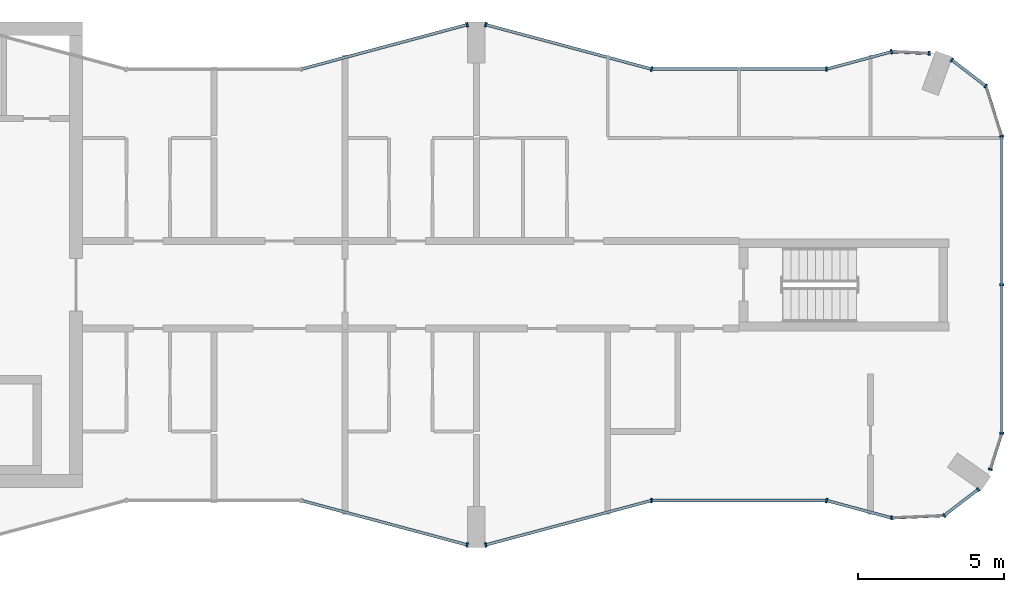
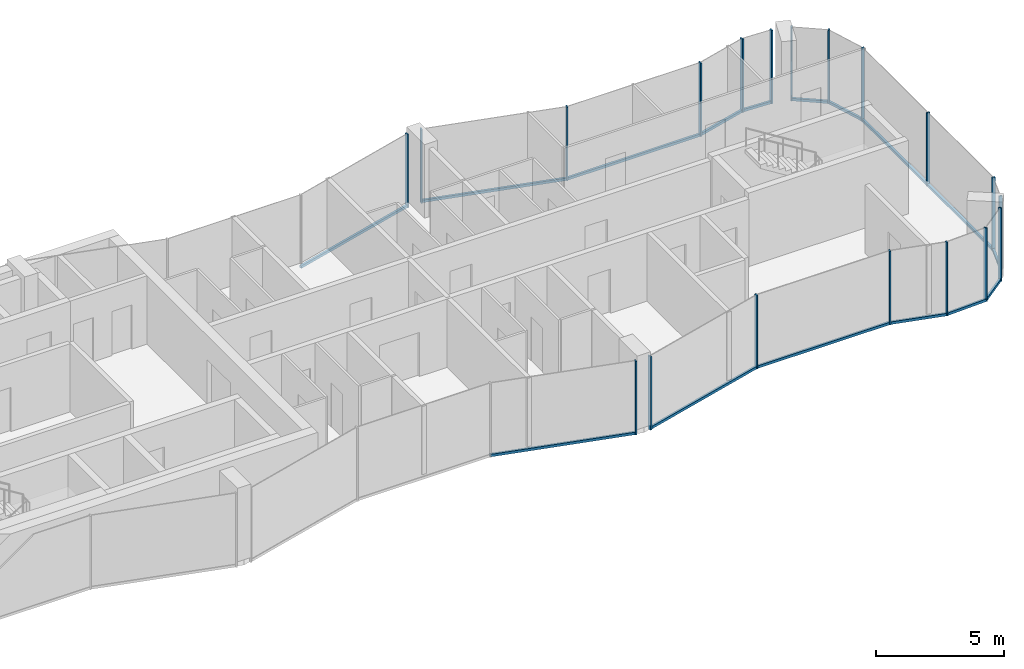
# One storey, part 5 of 10: 34 members, 15 elements without a shape of their own.
"""IFC4 building model written with IfcOpenShell, lengths in metres."""

from ifc_helpers import new_model, si_unit, direction, frame, origin, origin_2d, place, context, subcontext, project, spatial, rectangle, extrude, material, layer, layer_set, material_profile, profile_set, type_object, element, aggregate, save


model = new_model("IFC4")

# Units and contexts
model_context = context("Model", 3, precision=1e-05, world=origin(), true_north=direction((0.0, 1.0)))
body_context = subcontext(model_context, "Body", "Model", "MODEL_VIEW")
ifc_project = project(units=[si_unit("LENGTHUNIT", "METRE"), si_unit("AREAUNIT", "SQUARE_METRE"), si_unit("VOLUMEUNIT", "CUBIC_METRE"), si_unit("PLANEANGLEUNIT", "RADIAN"), si_unit("MASSUNIT", "GRAM", prefix="KILO")], contexts=[model_context])

# Site, building, storey
site_placement = place(None, origin())
site = spatial("IfcSite", under=ifc_project, at=site_placement, CompositionType="ELEMENT")
building_placement = place(site_placement, origin())
building = spatial("IfcBuilding", under=site, at=building_placement, Name="Plateau Cross Towers", CompositionType="ELEMENT")
storey_placement = place(building_placement, frame((0.0, 0.0, 256.39990234375)))
storey = spatial("IfcBuildingStorey", under=building, at=storey_placement, Name="L67", CompositionType="ELEMENT", Elevation=256.39990234375)

# Curtain wall, member
ifc_material_1 = material(Name="Dark low-iron glass", Category="glass")
ifc_layer_1 = layer(ifc_material_1, 0.239990234375)
ifc_layer_set_1 = layer_set([ifc_layer_1], Name="Dark low-iron glass")
curtain_wall_type_1 = type_object("IfcCurtainWallType", Name="Curtain wall flush unitised CW-B", PredefinedType="NOTDEFINED", material=ifc_layer_set_1)
curtain_wall_1_placement = place(storey_placement, origin())
curtain_wall_1 = element("IfcCurtainWall", 1, at=curtain_wall_1_placement, inside=storey, type_object=curtain_wall_type_1, Name="ENV/A/L67/A502_10", PredefinedType="NOTDEFINED")
ifc_material_2 = material(Name="Black anodised aluminium", Category="aluminium")
ifc_material_profile_1 = material_profile(ifc_material_2, rectangle(XDim=0.06005859375, YDim=0.139892578125, at=origin_2d()), Name="MULLION 60x140")
ifc_profile_set_1 = profile_set([ifc_material_profile_1], Name="Black anodised aluminium")
member_type_1 = type_object("IfcMemberType", Name="Mullion 60x140 flush unitised", PredefinedType="MULLION", material=ifc_profile_set_1)
member_1_placement = place(storey_placement, frame((50.223876953125, 1.01123046875, -0.25), z_axis=(0.0, 0.0, 1.0), x_axis=(0.999043701491, 0.043722791671, 0.0)))
member_1 = element("IfcMember", 2, at=member_1_placement, type_object=member_type_1, Name="CW-B mullion 1", PredefinedType="MULLION", context=body_context, shape_type="SweptSolid", body=[
    extrude(rectangle(XDim=0.06005859375, YDim=0.139892578125, at=origin_2d()), origin(), (0.0, 0.0, 1.0), 3.5),
])

# Curtain wall, members
curtain_wall_2_placement = place(storey_placement, origin())
curtain_wall_2 = element("IfcCurtainWall", 3, at=curtain_wall_2_placement, inside=storey, type_object=curtain_wall_type_1, Name="ENV/A/L67/A520_11", PredefinedType="NOTDEFINED")
member_2_placement = place(storey_placement, frame((52.0263671875, 1.090087890625, -0.25), z_axis=(0.0, 0.0, 1.0), x_axis=(0.793315514529, 0.608810721331, 0.0)))
member_2 = element("IfcMember", 4, at=member_2_placement, type_object=member_type_1, Name="CW-B mullion 1", PredefinedType="MULLION", context=body_context, shape_type="SweptSolid", body=[
    extrude(rectangle(XDim=0.06005859375, YDim=0.139892578125, at=origin_2d()), origin(), (0.0, 0.0, 1.0), 3.5),
])
member_3_placement = place(storey_placement, frame((53.193603515625, 1.986083984375, -0.25), z_axis=(0.0, 0.0, 1.0), x_axis=(0.793315514529, 0.608810721331, 0.0)))
member_3 = element("IfcMember", 5, at=member_3_placement, type_object=member_type_1, Name="CW-B mullion 2", PredefinedType="MULLION", context=body_context, shape_type="SweptSolid", body=[
    extrude(rectangle(XDim=0.06005859375, YDim=0.139892578125, at=origin_2d()), origin(), (0.0, 0.0, 1.0), 3.5),
])

# Curtain wall, member
curtain_wall_3_placement = place(storey_placement, origin())
curtain_wall_3 = element("IfcCurtainWall", 6, at=curtain_wall_3_placement, inside=storey, type_object=curtain_wall_type_1, Name="ENV/A/L67/A536_27", PredefinedType="NOTDEFINED")
member_4_placement = place(storey_placement, frame((53.611083984375, 2.67529296875, -0.25), z_axis=(0.0, 0.0, 1.0), x_axis=(0.300686174994, 0.95372313811, 0.0)))
member_4 = element("IfcMember", 7, at=member_4_placement, type_object=member_type_1, Name="CW-B mullion 1", PredefinedType="MULLION", context=body_context, shape_type="SweptSolid", body=[
    extrude(rectangle(XDim=0.06005859375, YDim=0.139892578125, at=origin_2d()), origin(), (0.0, 0.0, 1.0), 3.5),
])

# Curtain wall, members
curtain_wall_4_placement = place(storey_placement, origin())
curtain_wall_4 = element("IfcCurtainWall", 8, at=curtain_wall_4_placement, inside=storey, type_object=curtain_wall_type_1, Name="ENV/A/L67/A540_39", PredefinedType="NOTDEFINED")
member_5_placement = place(storey_placement, frame((54.0, 3.9091796875, -0.25), z_axis=(0.0, 0.0, 1.0), x_axis=(0.0, 1.0, 0.0)))
member_5 = element("IfcMember", 9, at=member_5_placement, type_object=member_type_1, Name="CW-B mullion 1", PredefinedType="MULLION", context=body_context, shape_type="SweptSolid", body=[
    extrude(rectangle(XDim=0.06005859375, YDim=0.139892578125, at=origin_2d()), origin(), (0.0, 0.0, 1.0), 3.5),
])
member_6_placement = place(storey_placement, frame((54.0, 9.0, -0.25), z_axis=(0.0, 0.0, 1.0), x_axis=(0.0, 1.0, 0.0)))
member_6 = element("IfcMember", 10, at=member_6_placement, type_object=member_type_1, Name="CW-B mullion 2", PredefinedType="MULLION", context=body_context, shape_type="SweptSolid", body=[
    extrude(rectangle(XDim=0.06005859375, YDim=0.139892578125, at=origin_2d()), origin(), (0.0, 0.0, 1.0), 3.5),
])

# Curtain wall, member
curtain_wall_5_placement = place(storey_placement, origin())
curtain_wall_5 = element("IfcCurtainWall", 11, at=curtain_wall_5_placement, inside=storey, type_object=curtain_wall_type_1, Name="ENV/A/L67/A540_141", PredefinedType="NOTDEFINED")
member_7_placement = place(storey_placement, frame((54.0, 14.0908203125, -0.25), z_axis=(0.0, 0.0, 1.0), x_axis=(-0.300686174994, 0.95372313811, 0.0)))
member_7 = element("IfcMember", 12, at=member_7_placement, type_object=member_type_1, Name="CW-B mullion 1", PredefinedType="MULLION", context=body_context, shape_type="SweptSolid", body=[
    extrude(rectangle(XDim=0.06005859375, YDim=0.139892578125, at=origin_2d()), origin(), (0.0, 0.0, 1.0), 3.5),
])

# Curtain wall, members
curtain_wall_6_placement = place(storey_placement, origin())
curtain_wall_6 = element("IfcCurtainWall", 13, at=curtain_wall_6_placement, inside=storey, type_object=curtain_wall_type_1, Name="ENV/A/L67/A535_158", PredefinedType="NOTDEFINED")
member_8_placement = place(storey_placement, frame((53.45751953125, 15.8115234375, -0.25), z_axis=(0.0, 0.0, 1.0), x_axis=(-0.793315514529, 0.608810721331, 0.0)))
member_8 = element("IfcMember", 14, at=member_8_placement, type_object=member_type_1, Name="CW-B mullion 1", PredefinedType="MULLION", context=body_context, shape_type="SweptSolid", body=[
    extrude(rectangle(XDim=0.06005859375, YDim=0.139892578125, at=origin_2d()), origin(), (0.0, 0.0, 1.0), 3.5),
])
member_9_placement = place(storey_placement, frame((52.290283203125, 16.707275390625, -0.25), z_axis=(0.0, 0.0, 1.0), x_axis=(-0.793315514529, 0.608810721331, 0.0)))
member_9 = element("IfcMember", 15, at=member_9_placement, type_object=member_type_1, Name="CW-B mullion 2", PredefinedType="MULLION", context=body_context, shape_type="SweptSolid", body=[
    extrude(rectangle(XDim=0.06005859375, YDim=0.139892578125, at=origin_2d()), origin(), (0.0, 0.0, 1.0), 3.5),
])

# Curtain wall, member
curtain_wall_7_placement = place(storey_placement, origin())
curtain_wall_7 = element("IfcCurtainWall", 16, at=curtain_wall_7_placement, inside=storey, type_object=curtain_wall_type_1, Name="ENV/A/L67/A515_169", PredefinedType="NOTDEFINED")
member_10_placement = place(storey_placement, frame((51.516357421875, 16.93212890625, -0.25), z_axis=(0.0, 0.0, 1.0), x_axis=(-0.999043701491, 0.043722791671, 0.0)))
member_10 = element("IfcMember", 17, at=member_10_placement, type_object=member_type_1, Name="CW-B mullion 1", PredefinedType="MULLION", context=body_context, shape_type="SweptSolid", body=[
    extrude(rectangle(XDim=0.06005859375, YDim=0.139892578125, at=origin_2d()), origin(), (0.0, 0.0, 1.0), 3.5),
])

ifc_layer_2 = layer(ifc_material_1, 0.260009765625)
ifc_layer_set_2 = layer_set([ifc_layer_2], Name="Dark low-iron glass")
curtain_wall_type_2 = type_object("IfcCurtainWallType", Name="Curtain wall fluted unitised CW-A", PredefinedType="NOTDEFINED", material=ifc_layer_set_2)
curtain_wall_8_placement = place(storey_placement, origin())
curtain_wall_8 = element("IfcCurtainWall", 18, at=curtain_wall_8_placement, inside=storey, type_object=curtain_wall_type_2, Name="ENV/A/L67/A300_16", PredefinedType="NOTDEFINED")
ifc_material_profile_2 = material_profile(ifc_material_2, rectangle(XDim=0.06005859375, YDim=0.159912109375, at=origin_2d()), Name="MULLION 60x160")
ifc_profile_set_2 = profile_set([ifc_material_profile_2], Name="Black anodised aluminium")
member_type_2 = type_object("IfcMemberType", Name="Mullion 60x160 fluted unitised", PredefinedType="MULLION", material=ifc_profile_set_2)
member_11_placement = place(storey_placement, frame((35.68212890625, 0.085205078125, -0.25), z_axis=(0.0, 0.0, 1.0), x_axis=(0.965957983404, -0.258699003279, 0.0)))
member_11 = element("IfcMember", 19, at=member_11_placement, type_object=member_type_2, Name="CW-A mullion 2", PredefinedType="MULLION", context=body_context, shape_type="SweptSolid", body=[
    extrude(rectangle(XDim=0.06005859375, YDim=0.159912109375, at=origin_2d()), origin(), (0.0, 0.0, 1.0), 3.5),
])

curtain_wall_9_placement = place(storey_placement, origin())
curtain_wall_9 = element("IfcCurtainWall", 20, at=curtain_wall_9_placement, inside=storey, type_object=curtain_wall_type_2, Name="ENV/A/L67/A363_1", PredefinedType="NOTDEFINED")
member_12_placement = place(storey_placement, frame((36.31787109375, 0.085205078125, -0.25), z_axis=(0.0, 0.0, 1.0), x_axis=(0.965957983404, 0.258699003279, 0.0)))
member_12 = element("IfcMember", 21, at=member_12_placement, type_object=member_type_2, Name="CW-A mullion 1", PredefinedType="MULLION", context=body_context, shape_type="SweptSolid", body=[
    extrude(rectangle(XDim=0.06005859375, YDim=0.159912109375, at=origin_2d()), origin(), (0.0, 0.0, 1.0), 3.5),
])

curtain_wall_10_placement = place(storey_placement, origin())
curtain_wall_10 = element("IfcCurtainWall", 22, at=curtain_wall_10_placement, inside=storey, type_object=curtain_wall_type_2, Name="ENV/A/L67/A420_16", PredefinedType="NOTDEFINED")
member_13_placement = place(storey_placement, frame((42.0, 1.60693359375, -0.25), z_axis=(0.0, 0.0, 1.0), x_axis=(1.0, 0.0, 0.0)))
member_13 = element("IfcMember", 23, at=member_13_placement, type_object=member_type_2, Name="CW-A mullion 1", PredefinedType="MULLION", context=body_context, shape_type="SweptSolid", body=[
    extrude(rectangle(XDim=0.06005859375, YDim=0.159912109375, at=origin_2d()), origin(), (0.0, 0.0, 1.0), 3.5),
])

curtain_wall_11_placement = place(storey_placement, origin())
curtain_wall_11 = element("IfcCurtainWall", 24, at=curtain_wall_11_placement, inside=storey, type_object=curtain_wall_type_2, Name="ENV/A/L67/A480_16", PredefinedType="NOTDEFINED")
member_14_placement = place(storey_placement, frame((48.0, 1.60693359375, -0.25), z_axis=(0.0, 0.0, 1.0), x_axis=(0.965957962328, -0.258699081978, 0.0)))
member_14 = element("IfcMember", 25, at=member_14_placement, type_object=member_type_2, Name="CW-A mullion 1", PredefinedType="MULLION", context=body_context, shape_type="SweptSolid", body=[
    extrude(rectangle(XDim=0.06005859375, YDim=0.159912109375, at=origin_2d()), origin(), (0.0, 0.0, 1.0), 3.5),
])

curtain_wall_12_placement = place(storey_placement, origin())
curtain_wall_12 = element("IfcCurtainWall", 26, at=curtain_wall_12_placement, inside=storey, type_object=curtain_wall_type_2, Name="ENV/A/L67/A502_170", PredefinedType="NOTDEFINED")
member_15_placement = place(storey_placement, frame((50.223876953125, 16.98876953125, -0.25), z_axis=(0.0, 0.0, 1.0), x_axis=(-0.965957962328, -0.258699081978, 0.0)))
member_15 = element("IfcMember", 27, at=member_15_placement, type_object=member_type_2, Name="CW-A mullion 1", PredefinedType="MULLION", context=body_context, shape_type="SweptSolid", body=[
    extrude(rectangle(XDim=0.06005859375, YDim=0.159912109375, at=origin_2d()), origin(), (0.0, 0.0, 1.0), 3.5),
])

curtain_wall_13_placement = place(storey_placement, origin())
curtain_wall_13 = element("IfcCurtainWall", 28, at=curtain_wall_13_placement, inside=storey, type_object=curtain_wall_type_2, Name="ENV/A/L67/A480_164", PredefinedType="NOTDEFINED")
member_16_placement = place(storey_placement, frame((48.0, 16.39306640625, -0.25), z_axis=(0.0, 0.0, 1.0), x_axis=(-1.0, 0.0, 0.0)))
member_16 = element("IfcMember", 29, at=member_16_placement, type_object=member_type_2, Name="CW-A mullion 1", PredefinedType="MULLION", context=body_context, shape_type="SweptSolid", body=[
    extrude(rectangle(XDim=0.06005859375, YDim=0.159912109375, at=origin_2d()), origin(), (0.0, 0.0, 1.0), 3.5),
])

# Curtain wall, members
curtain_wall_14_placement = place(storey_placement, origin())
curtain_wall_14 = element("IfcCurtainWall", 30, at=curtain_wall_14_placement, inside=storey, type_object=curtain_wall_type_2, Name="ENV/A/L67/A420_164", PredefinedType="NOTDEFINED")
member_17_placement = place(storey_placement, frame((42.0, 16.39306640625, -0.25), z_axis=(0.0, 0.0, 1.0), x_axis=(-0.965957983404, 0.258699003279, 0.0)))
member_17 = element("IfcMember", 31, at=member_17_placement, type_object=member_type_2, Name="CW-A mullion 1", PredefinedType="MULLION", context=body_context, shape_type="SweptSolid", body=[
    extrude(rectangle(XDim=0.06005859375, YDim=0.159912109375, at=origin_2d()), origin(), (0.0, 0.0, 1.0), 3.5),
])
member_18_placement = place(storey_placement, frame((36.31787109375, 17.914794921875, -0.25), z_axis=(0.0, 0.0, 1.0), x_axis=(-0.965957983404, 0.258699003279, 0.0)))
member_18 = element("IfcMember", 32, at=member_18_placement, type_object=member_type_2, Name="CW-A mullion 2", PredefinedType="MULLION", context=body_context, shape_type="SweptSolid", body=[
    extrude(rectangle(XDim=0.06005859375, YDim=0.159912109375, at=origin_2d()), origin(), (0.0, 0.0, 1.0), 3.5),
])

# Curtain wall, member
curtain_wall_15_placement = place(storey_placement, origin())
curtain_wall_15 = element("IfcCurtainWall", 33, at=curtain_wall_15_placement, inside=storey, type_object=curtain_wall_type_2, Name="ENV/A/L67/A357_179", PredefinedType="NOTDEFINED")
member_19_placement = place(storey_placement, frame((35.68212890625, 17.914794921875, -0.25), z_axis=(0.0, 0.0, 1.0), x_axis=(-0.965957983404, -0.258699003279, 0.0)))
member_19 = element("IfcMember", 34, at=member_19_placement, type_object=member_type_2, Name="CW-A mullion 1", PredefinedType="MULLION", context=body_context, shape_type="SweptSolid", body=[
    extrude(rectangle(XDim=0.06005859375, YDim=0.159912109375, at=origin_2d()), origin(), (0.0, 0.0, 1.0), 3.5),
])

# Member
ifc_material_profile_3 = material_profile(ifc_material_2, rectangle(XDim=0.10009765625, YDim=0.1201171875, at=origin_2d()), Name="TRANSOM 100x120")
ifc_profile_set_3 = profile_set([ifc_material_profile_3], Name="Black anodised aluminium")
member_type_3 = type_object("IfcMemberType", Name="Transom 100x120 flush unitised", PredefinedType="USERDEFINED", material=ifc_profile_set_3)
member_20_placement = place(storey_placement, frame((50.223876953125, 1.01123046875, -0.18994140625), z_axis=(0.999044377355, 0.043707345779, 0.0), x_axis=(-0.043707345779, 0.999044377355, 0.0)))
member_20 = element("IfcMember", 35, at=member_20_placement, type_object=member_type_3, Name="CW-B transom", ObjectType="TRANSOM", PredefinedType="USERDEFINED", context=body_context, shape_type="SweptSolid", body=[
    extrude(rectangle(XDim=0.10009765625, YDim=0.1201171875, at=origin_2d()), origin(), (0.0, 0.0, 1.0), 1.80419921875),
])

aggregate(curtain_wall_1, [member_1, member_20])

member_21_placement = place(storey_placement, frame((52.0263671875, 1.090087890625, -0.18994140625), z_axis=(0.793240368515, 0.608908628415, 0.0), x_axis=(-0.608908628415, 0.793240368515, 0.0)))
member_21 = element("IfcMember", 36, at=member_21_placement, type_object=member_type_3, Name="CW-B transom", ObjectType="TRANSOM", PredefinedType="USERDEFINED", context=body_context, shape_type="SweptSolid", body=[
    extrude(rectangle(XDim=0.10009765625, YDim=0.1201171875, at=origin_2d()), origin(), (0.0, 0.0, 1.0), 1.471435546875),
])

aggregate(curtain_wall_2, [member_2, member_3, member_21])

member_22_placement = place(storey_placement, frame((53.611083984375, 2.67529296875, -0.18994140625), z_axis=(0.300616528216, 0.953745093284, 0.0), x_axis=(-0.953745093284, 0.300616528216, 0.0)))
member_22 = element("IfcMember", 37, at=member_22_placement, type_object=member_type_3, Name="CW-B transom", ObjectType="TRANSOM", PredefinedType="USERDEFINED", context=body_context, shape_type="SweptSolid", body=[
    extrude(rectangle(XDim=0.10009765625, YDim=0.1201171875, at=origin_2d()), origin(), (0.0, 0.0, 1.0), 1.293701171875),
])

aggregate(curtain_wall_3, [member_4, member_22])

member_23_placement = place(storey_placement, frame((54.0, 3.9091796875, -0.18994140625), z_axis=(0.0, 1.0, 0.0), x_axis=(-1.0, 0.0, 0.0)))
member_23 = element("IfcMember", 38, at=member_23_placement, type_object=member_type_3, Name="CW-B transom", ObjectType="TRANSOM", PredefinedType="USERDEFINED", context=body_context, shape_type="SweptSolid", body=[
    extrude(rectangle(XDim=0.10009765625, YDim=0.1201171875, at=origin_2d()), origin(), (0.0, 0.0, 1.0), 10.181640625),
])

aggregate(curtain_wall_4, [member_5, member_6, member_23])

member_24_placement = place(storey_placement, frame((54.0, 14.0908203125, -0.18994140625), z_axis=(-0.30067799945, 0.953725715626, 0.0), x_axis=(-0.953725715626, -0.30067799945, 0.0)))
member_24 = element("IfcMember", 39, at=member_24_placement, type_object=member_type_3, Name="CW-B transom", ObjectType="TRANSOM", PredefinedType="USERDEFINED", context=body_context, shape_type="SweptSolid", body=[
    extrude(rectangle(XDim=0.10009765625, YDim=0.1201171875, at=origin_2d()), origin(), (0.0, 0.0, 1.0), 1.80419921875),
])

aggregate(curtain_wall_5, [member_7, member_24])

member_25_placement = place(storey_placement, frame((53.45751953125, 15.8115234375, -0.18994140625), z_axis=(-0.793320508571, 0.608804213751, 0.0), x_axis=(-0.608804213751, -0.793320508571, 0.0)))
member_25 = element("IfcMember", 40, at=member_25_placement, type_object=member_type_3, Name="CW-B transom", ObjectType="TRANSOM", PredefinedType="USERDEFINED", context=body_context, shape_type="SweptSolid", body=[
    extrude(rectangle(XDim=0.10009765625, YDim=0.1201171875, at=origin_2d()), origin(), (0.0, 0.0, 1.0), 1.471435546875),
])

aggregate(curtain_wall_6, [member_8, member_9, member_25])

member_26_placement = place(storey_placement, frame((51.516357421875, 16.93212890625, -0.18994140625), z_axis=(-0.999041144614, 0.043781175963, 0.0), x_axis=(-0.043781175963, -0.999041144614, 0.0)))
member_26 = element("IfcMember", 41, at=member_26_placement, type_object=member_type_3, Name="CW-B transom", ObjectType="TRANSOM", PredefinedType="USERDEFINED", context=body_context, shape_type="SweptSolid", body=[
    extrude(rectangle(XDim=0.10009765625, YDim=0.1201171875, at=origin_2d()), origin(), (0.0, 0.0, 1.0), 1.293701171875),
])

aggregate(curtain_wall_7, [member_10, member_26])

ifc_material_profile_4 = material_profile(ifc_material_2, rectangle(XDim=0.10009765625, YDim=0.1201171875, at=origin_2d()), Name="TRANSOM 100x120")
ifc_profile_set_4 = profile_set([ifc_material_profile_4], Name="Black anodised aluminium")
member_type_4 = type_object("IfcMemberType", Name="Transom 100x120 fluted unitised", PredefinedType="USERDEFINED", material=ifc_profile_set_4)
member_27_placement = place(storey_placement, frame((30.0, 1.60693359375, -0.18994140625), z_axis=(0.965959534794, -0.258693210465, 0.0), x_axis=(0.258693210465, 0.965959534794, 0.0)))
member_27 = element("IfcMember", 42, at=member_27_placement, type_object=member_type_4, Name="CW-A transom", ObjectType="TRANSOM", PredefinedType="USERDEFINED", context=body_context, shape_type="SweptSolid", body=[
    extrude(rectangle(XDim=0.10009765625, YDim=0.1201171875, at=origin_2d()), origin(), (0.0, 0.0, 1.0), 5.88232421875),
])

aggregate(curtain_wall_8, [member_11, member_27])

member_28_placement = place(storey_placement, frame((36.31787109375, 0.085205078125, -0.18994140625), z_axis=(0.965959534794, 0.258693210465, 0.0), x_axis=(-0.258693210465, 0.965959534794, 0.0)))
member_28 = element("IfcMember", 43, at=member_28_placement, type_object=member_type_4, Name="CW-A transom", ObjectType="TRANSOM", PredefinedType="USERDEFINED", context=body_context, shape_type="SweptSolid", body=[
    extrude(rectangle(XDim=0.10009765625, YDim=0.1201171875, at=origin_2d()), origin(), (0.0, 0.0, 1.0), 5.88232421875),
])

aggregate(curtain_wall_9, [member_12, member_28])

member_29_placement = place(storey_placement, frame((42.0, 1.60693359375, -0.18994140625), z_axis=(1.0, 0.0, 0.0), x_axis=(0.0, 1.0, 0.0)))
member_29 = element("IfcMember", 44, at=member_29_placement, type_object=member_type_4, Name="CW-A transom", ObjectType="TRANSOM", PredefinedType="USERDEFINED", context=body_context, shape_type="SweptSolid", body=[
    extrude(rectangle(XDim=0.10009765625, YDim=0.1201171875, at=origin_2d()), origin(), (0.0, 0.0, 1.0), 6.0),
])

aggregate(curtain_wall_10, [member_13, member_29])

member_30_placement = place(storey_placement, frame((48.0, 1.60693359375, -0.18994140625), z_axis=(0.965945685136, -0.258744919501, 0.0), x_axis=(0.258744919501, 0.965945685136, 0.0)))
member_30 = element("IfcMember", 45, at=member_30_placement, type_object=member_type_4, Name="CW-A transom", ObjectType="TRANSOM", PredefinedType="USERDEFINED", context=body_context, shape_type="SweptSolid", body=[
    extrude(rectangle(XDim=0.10009765625, YDim=0.1201171875, at=origin_2d()), origin(), (0.0, 0.0, 1.0), 2.30224609375),
])

aggregate(curtain_wall_11, [member_14, member_30])

member_31_placement = place(storey_placement, frame((50.223876953125, 16.98876953125, -0.18994140625), z_axis=(-0.965945685136, -0.258744919501, 0.0), x_axis=(0.258744919501, -0.965945685136, 0.0)))
member_31 = element("IfcMember", 46, at=member_31_placement, type_object=member_type_4, Name="CW-A transom", ObjectType="TRANSOM", PredefinedType="USERDEFINED", context=body_context, shape_type="SweptSolid", body=[
    extrude(rectangle(XDim=0.10009765625, YDim=0.1201171875, at=origin_2d()), origin(), (0.0, 0.0, 1.0), 2.30224609375),
])

aggregate(curtain_wall_12, [member_15, member_31])

member_32_placement = place(storey_placement, frame((48.0, 16.39306640625, -0.18994140625), z_axis=(-1.0, 0.0, 0.0), x_axis=(0.0, -1.0, 0.0)))
member_32 = element("IfcMember", 47, at=member_32_placement, type_object=member_type_4, Name="CW-A transom", ObjectType="TRANSOM", PredefinedType="USERDEFINED", context=body_context, shape_type="SweptSolid", body=[
    extrude(rectangle(XDim=0.10009765625, YDim=0.1201171875, at=origin_2d()), origin(), (0.0, 0.0, 1.0), 6.0),
])

aggregate(curtain_wall_13, [member_16, member_32])

member_33_placement = place(storey_placement, frame((42.0, 16.39306640625, -0.18994140625), z_axis=(-0.965959534794, 0.258693210465, 0.0), x_axis=(-0.258693210465, -0.965959534794, 0.0)))
member_33 = element("IfcMember", 48, at=member_33_placement, type_object=member_type_4, Name="CW-A transom", ObjectType="TRANSOM", PredefinedType="USERDEFINED", context=body_context, shape_type="SweptSolid", body=[
    extrude(rectangle(XDim=0.10009765625, YDim=0.1201171875, at=origin_2d()), origin(), (0.0, 0.0, 1.0), 5.88232421875),
])

aggregate(curtain_wall_14, [member_17, member_18, member_33])

member_34_placement = place(storey_placement, frame((35.68212890625, 17.914794921875, -0.18994140625), z_axis=(-0.965959534794, -0.258693210465, 0.0), x_axis=(0.258693210465, -0.965959534794, 0.0)))
member_34 = element("IfcMember", 49, at=member_34_placement, type_object=member_type_4, Name="CW-A transom", ObjectType="TRANSOM", PredefinedType="USERDEFINED", context=body_context, shape_type="SweptSolid", body=[
    extrude(rectangle(XDim=0.10009765625, YDim=0.1201171875, at=origin_2d()), origin(), (0.0, 0.0, 1.0), 5.88232421875),
])

aggregate(curtain_wall_15, [member_19, member_34])

save(model, "model.ifc")
